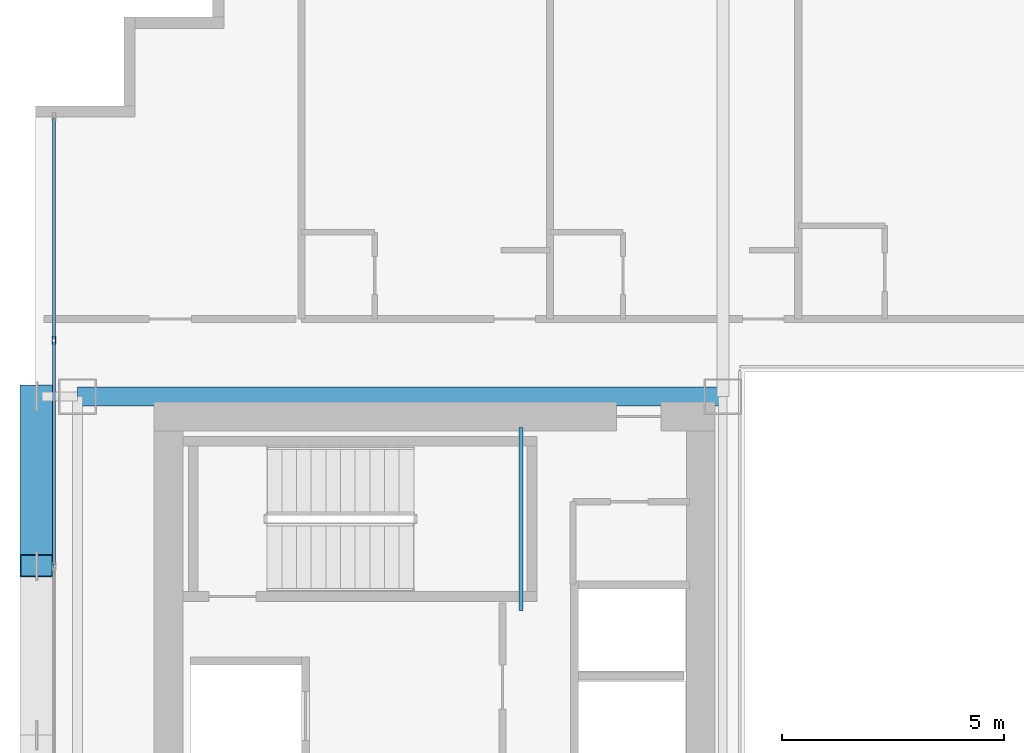
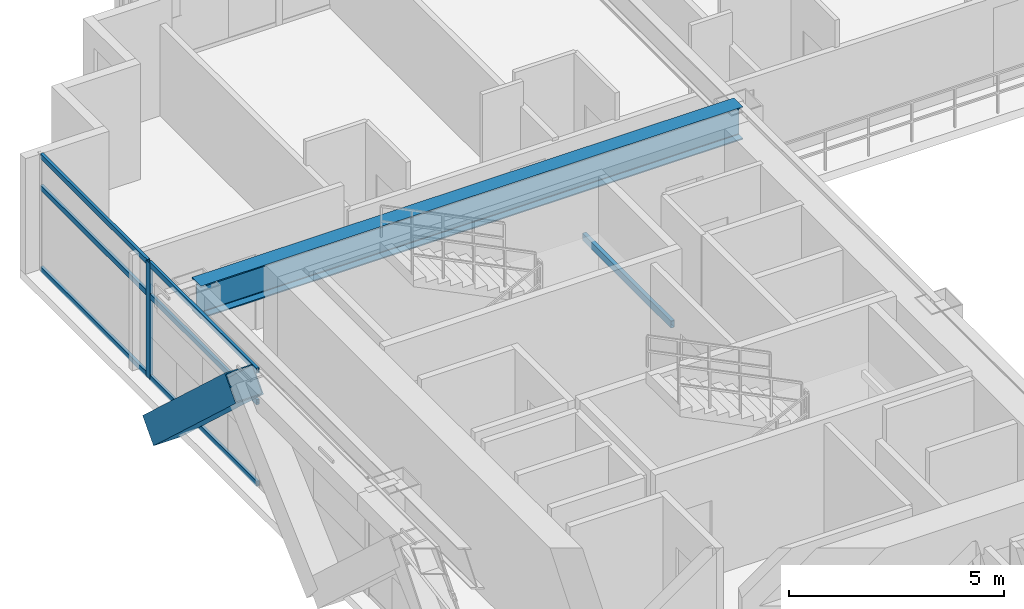
# One storey, part 16 of 36: 8 members, 2 beams, 1 element without a shape of its own.
"""IFC4 building model written with IfcOpenShell, lengths in metres."""

from ifc_helpers import new_model, si_unit, direction, frame, origin, origin_2d, place, context, subcontext, project, spatial, hollow_rectangle, i_section, extrude, source, transform, mapped, material, layer, layer_set, material_profile, profile_set, type_object, element, aggregate, save


model = new_model("IFC4")

# Units and contexts
model_context = context("Model", 3, precision=1e-05, world=origin(), true_north=direction((0.0, 1.0)))
body_context = subcontext(model_context, "Body", "Model", "MODEL_VIEW")
ifc_project = project(units=[si_unit("LENGTHUNIT", "METRE"), si_unit("AREAUNIT", "SQUARE_METRE"), si_unit("VOLUMEUNIT", "CUBIC_METRE"), si_unit("PLANEANGLEUNIT", "RADIAN"), si_unit("MASSUNIT", "GRAM", prefix="KILO")], contexts=[model_context])

# Site, building, storey
site_placement = place(None, origin())
site = spatial("IfcSite", under=ifc_project, at=site_placement, CompositionType="ELEMENT")
building_placement = place(site_placement, origin())
building = spatial("IfcBuilding", under=site, at=building_placement, Name="Ocotamira Hotel", CompositionType="ELEMENT")
storey_placement = place(building_placement, frame((0.0, 0.0, 147.60009765625)))
storey = spatial("IfcBuildingStorey", under=building, at=storey_placement, Name="L37", CompositionType="ELEMENT", Elevation=147.60009765625)

# Beams
ifc_material_1 = material(Name="Steel ASTM A500 Grade C", Category="steel")
ifc_material_profile_1 = material_profile(ifc_material_1, hollow_rectangle(XDim=0.10009765625, YDim=0.199951171875, WallThickness=0.008056640625, at=origin_2d()), Name="HSS200X100X8")
ifc_profile_set_1 = profile_set([ifc_material_profile_1], Name="Steel ASTM A500 Grade C")
beam_type_1 = type_object("IfcBeamType", Name="BM-STLDG-HSS200", PredefinedType="BEAM", material=ifc_profile_set_1)
shared_shape_1 = source(origin(), body_context, "Body", "SweptSolid", [
    extrude(hollow_rectangle(XDim=0.10009765625, YDim=0.199951171875, WallThickness=0.008056640625, at=origin_2d()), origin(), (0.0, 0.0, 1.0), 4.1201171875),
])
beam_1_placement = place(storey_placement, frame((18.949951171875, 32.6298828125, 1.5), z_axis=(0.0, 1.0, 0.0), x_axis=(-1.0, 0.0, 0.0)))
element("IfcBeam", 1, at=beam_1_placement, inside=storey, type_object=beam_type_1, Name="L37 Stair ST-2 Landing Bearer 1", PredefinedType="BEAM", context=body_context, shape_type="MappedRepresentation", body=[
    mapped(shared_shape_1, transform((0.0, 0.0, 0.0), scale=1.0)),
])
ifc_material_2 = material(Name="Steel ASTM A992 Grade 50", Category="steel")
ifc_material_profile_2 = material_profile(ifc_material_2, i_section(OverallWidth=0.41796875, OverallDepth=0.927001953125, WebThickness=0.019287109375, FlangeThickness=0.031982421875, FilletRadius=0.02392578125, at=origin_2d()), Name="W36X231")
ifc_profile_set_2 = profile_set([ifc_material_profile_2], Name="Steel ASTM A992 Grade 50")
beam_type_2 = type_object("IfcBeamType", Name="BM-GIRD-W36X231", PredefinedType="BEAM", material=ifc_profile_set_2)
shared_shape_2 = source(origin(), body_context, "Body", "SweptSolid", [
    extrude(i_section(OverallWidth=0.41796875, OverallDepth=0.927001953125, WebThickness=0.019287109375, FlangeThickness=0.031982421875, FilletRadius=0.02392578125, at=origin_2d()), origin(), (0.0, 0.0, 1.0), 14.550048828125),
])
beam_2_placement = place(storey_placement, frame((8.949951171875, 37.449951171875, 2.81640625), z_axis=(1.0, 0.0, 0.0), x_axis=(0.0, 1.0, 0.0)))
element("IfcBeam", 2, at=beam_2_placement, inside=storey, type_object=beam_type_2, Name="L37 Girder Y37.45 X8.95-23.5", PredefinedType="BEAM", context=body_context, shape_type="MappedRepresentation", body=[
    mapped(shared_shape_2, transform((0.0, 0.0, 0.0), scale=1.0)),
])

# Member
ifc_material_3 = material(Name="Pale-metal coated steel ASTM A913 Grade 65", Category="steel")
ifc_material_profile_3 = material_profile(ifc_material_3, hollow_rectangle(XDim=0.75, YDim=0.75, WallThickness=0.028076171875, at=origin_2d()), Name="BOX750X750X28")
ifc_profile_set_3 = profile_set([ifc_material_profile_3], Name="Pale-metal coated steel ASTM A913 Grade 65")
member_type_1 = type_object("IfcMemberType", Name="MEM-EXO-BOX750", PredefinedType="BRACE", material=ifc_profile_set_3)
shared_shape_3 = source(origin(), body_context, "Body", "SweptSolid", [
    extrude(hollow_rectangle(XDim=0.75, YDim=0.75, WallThickness=0.028076171875, at=origin_2d()), origin(), (0.0, 0.0, 1.0), 5.19189453125),
])
member_1_placement = place(storey_placement, frame((8.030029296875, 37.449951171875, -0.489990234375), z_axis=(0.0, -0.735118858477, 0.677938244909), x_axis=(1.0, 0.0, 0.0)))
element("IfcMember", 3, at=member_1_placement, inside=storey, type_object=member_type_1, Name="L37 Exoskeleton Diagrid W2.2", PredefinedType="BRACE", context=body_context, shape_type="MappedRepresentation", body=[
    mapped(shared_shape_3, transform((0.0, 0.0, 0.0), scale=1.0)),
])

# Curtain wall, members
ifc_material_4 = material(Name="Anodised pale-metal aluminium and solar glass", Category="aluminium")
ifc_layer = layer(ifc_material_4, 0.179931640625)
ifc_layer_set = layer_set([ifc_layer], Name="Anodised pale-metal aluminium and solar glass")
curtain_wall_type = type_object("IfcCurtainWallType", Name="CW-SYS3-Z2", PredefinedType="NOTDEFINED", material=ifc_layer_set)
curtain_wall_placement = place(storey_placement, origin())
curtain_wall = element("IfcCurtainWall", 4, at=curtain_wall_placement, inside=storey, type_object=curtain_wall_type, Name="L37 Curtain Wall CW-3 CW-L37-W", PredefinedType="NOTDEFINED")
ifc_material_5 = material(Name="Anodised pale-metal aluminium 6063-T6", Category="aluminium")
ifc_material_profile_4 = material_profile(ifc_material_5, hollow_rectangle(XDim=0.074951171875, YDim=0.14990234375, WallThickness=0.006103515625, at=origin_2d()), Name="HSS150X75X6")
ifc_profile_set_4 = profile_set([ifc_material_profile_4], Name="Anodised pale-metal aluminium 6063-T6")
member_type_2 = type_object("IfcMemberType", Name="CWT-150X75", PredefinedType="USERDEFINED", material=ifc_profile_set_4)
shared_shape_4 = source(origin(), body_context, "Body", "SweptSolid", [
    extrude(hollow_rectangle(XDim=0.074951171875, YDim=0.14990234375, WallThickness=0.006103515625, at=origin_2d()), origin(), (0.0, 0.0, 1.0), 4.965576171875),
])
member_2_placement = place(storey_placement, frame((8.419921875, 38.75439453125, 0.037353515625), z_axis=(0.0, 1.0, 0.0), x_axis=(-1.0, 0.0, 0.0)))
member_2 = element("IfcMember", 5, at=member_2_placement, type_object=member_type_2, Name="CW-3 transom 7.1", ObjectType="TRANSOM", PredefinedType="USERDEFINED", context=body_context, shape_type="MappedRepresentation", body=[
    mapped(shared_shape_4, transform((0.0, 0.0, 0.0), scale=1.0)),
])
member_3_placement = place(storey_placement, frame((8.419921875, 38.75439453125, 2.349853515625), z_axis=(0.0, 1.0, 0.0), x_axis=(-1.0, 0.0, 0.0)))
member_3 = element("IfcMember", 6, at=member_3_placement, type_object=member_type_2, Name="CW-3 transom 7.2", ObjectType="TRANSOM", PredefinedType="USERDEFINED", context=body_context, shape_type="MappedRepresentation", body=[
    mapped(shared_shape_4, transform((0.0, 0.0, 0.0), scale=1.0)),
])
member_4_placement = place(storey_placement, frame((8.419921875, 38.75439453125, 3.242431640625), z_axis=(0.0, 1.0, 0.0), x_axis=(-1.0, 0.0, 0.0)))
member_4 = element("IfcMember", 7, at=member_4_placement, type_object=member_type_2, Name="CW-3 transom 7.3", ObjectType="TRANSOM", PredefinedType="USERDEFINED", context=body_context, shape_type="MappedRepresentation", body=[
    mapped(shared_shape_4, transform((0.0, 0.0, 0.0), scale=1.0)),
])
shared_shape_5 = source(origin(), body_context, "Body", "SweptSolid", [
    extrude(hollow_rectangle(XDim=0.074951171875, YDim=0.14990234375, WallThickness=0.006103515625, at=origin_2d()), origin(), (0.0, 0.0, 1.0), 5.005859375),
])
member_5_placement = place(storey_placement, frame((8.419921875, 33.66845703125, 0.037353515625), z_axis=(0.0, 1.0, 0.0), x_axis=(-1.0, 0.0, 0.0)))
member_5 = element("IfcMember", 8, at=member_5_placement, type_object=member_type_2, Name="CW-3 transom 6.1", ObjectType="TRANSOM", PredefinedType="USERDEFINED", context=body_context, shape_type="MappedRepresentation", body=[
    mapped(shared_shape_5, transform((0.0, 0.0, 0.0), scale=1.0)),
])
member_6_placement = place(storey_placement, frame((8.419921875, 33.66845703125, 2.349853515625), z_axis=(0.0, 1.0, 0.0), x_axis=(-1.0, 0.0, 0.0)))
member_6 = element("IfcMember", 9, at=member_6_placement, type_object=member_type_2, Name="CW-3 transom 6.2", ObjectType="TRANSOM", PredefinedType="USERDEFINED", context=body_context, shape_type="MappedRepresentation", body=[
    mapped(shared_shape_5, transform((0.0, 0.0, 0.0), scale=1.0)),
])
member_7_placement = place(storey_placement, frame((8.419921875, 33.66845703125, 3.242431640625), z_axis=(0.0, 1.0, 0.0), x_axis=(-1.0, 0.0, 0.0)))
member_7 = element("IfcMember", 10, at=member_7_placement, type_object=member_type_2, Name="CW-3 transom 6.3", ObjectType="TRANSOM", PredefinedType="USERDEFINED", context=body_context, shape_type="MappedRepresentation", body=[
    mapped(shared_shape_5, transform((0.0, 0.0, 0.0), scale=1.0)),
])
ifc_material_profile_5 = material_profile(ifc_material_5, hollow_rectangle(XDim=0.080078125, YDim=0.179931640625, WallThickness=0.006103515625, at=origin_2d()), Name="HSS180X80X6")
ifc_profile_set_5 = profile_set([ifc_material_profile_5], Name="Anodised pale-metal aluminium 6063-T6")
member_type_3 = type_object("IfcMemberType", Name="CWM-180X75", PredefinedType="MULLION", material=ifc_profile_set_5)
shared_shape_6 = source(origin(), body_context, "Body", "SweptSolid", [
    extrude(hollow_rectangle(XDim=0.080078125, YDim=0.179931640625, WallThickness=0.006103515625, at=origin_2d()), origin(), (0.0, 0.0, 1.0), 3.27978515625),
])
member_8_placement = place(storey_placement, frame((8.419921875, 38.71435546875, 0.0), z_axis=(0.0, 0.0, 1.0), x_axis=(-1.0, 0.0, 0.0)))
member_8 = element("IfcMember", 11, at=member_8_placement, type_object=member_type_3, Name="CW-3 mullion 7", PredefinedType="MULLION", context=body_context, shape_type="MappedRepresentation", body=[
    mapped(shared_shape_6, transform((0.0, 0.0, 0.0), scale=1.0)),
])
aggregate(curtain_wall, [member_8, member_5, member_6, member_7, member_2, member_3, member_4])

save(model, "model.ifc")
